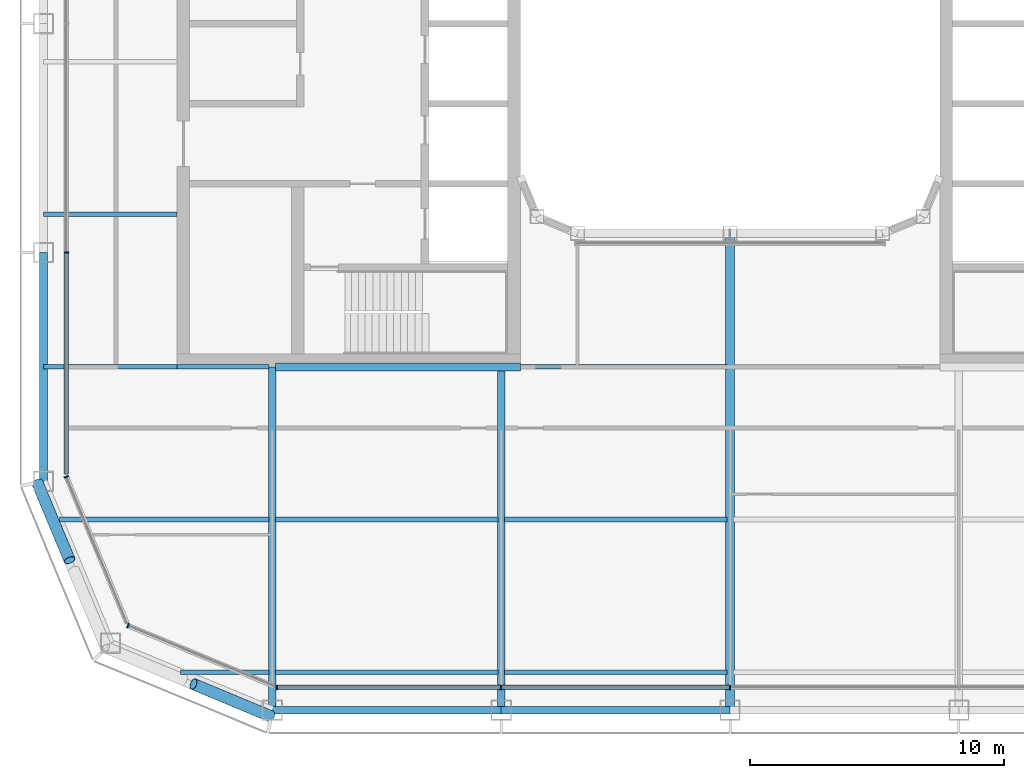
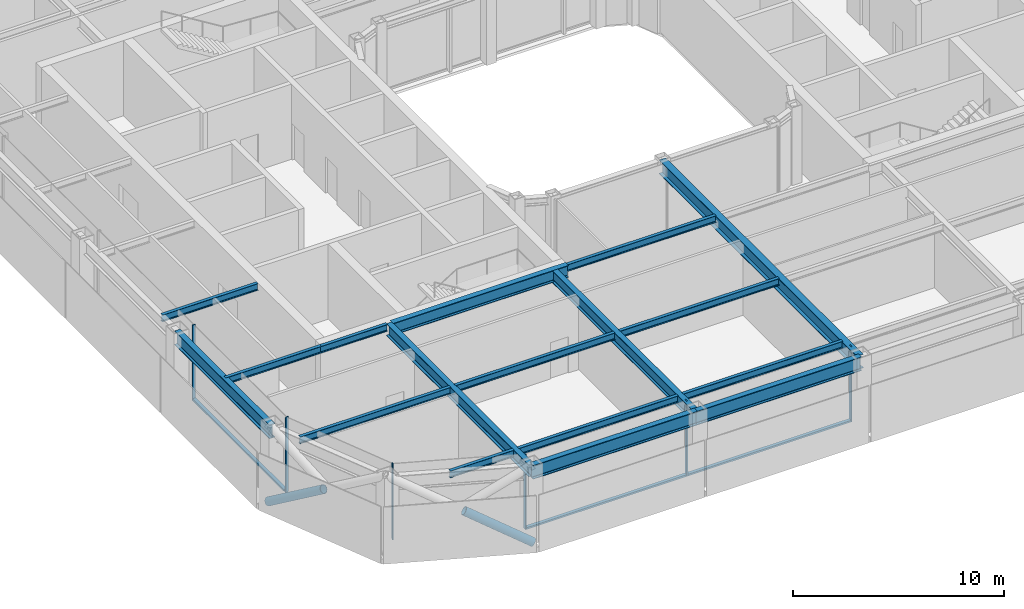
# One storey, part 2 of 19: 17 beams, 11 members, 4 elements without a shape of their own.
"""IFC4 building model written with IfcOpenShell, lengths in metres."""

from ifc_helpers import new_model, si_unit, direction, frame, origin, origin_2d, place, context, subcontext, project, spatial, rectangle, hollow_circle, i_section, extrude, material, layer, layer_set, material_profile, profile_set, type_object, element, aggregate, save


model = new_model("IFC4")

# Units and contexts
model_context = context("Model", 3, precision=1e-05, world=origin(), true_north=direction((0.0, 1.0)))
body_context = subcontext(model_context, "Body", "Model", "MODEL_VIEW")
ifc_project = project(units=[si_unit("LENGTHUNIT", "METRE"), si_unit("AREAUNIT", "SQUARE_METRE"), si_unit("VOLUMEUNIT", "CUBIC_METRE"), si_unit("PLANEANGLEUNIT", "RADIAN"), si_unit("MASSUNIT", "GRAM", prefix="KILO")], contexts=[model_context])

# Site, building, storey
site_placement = place(None, origin())
site = spatial("IfcSite", under=ifc_project, at=site_placement, CompositionType="ELEMENT")
building_placement = place(site_placement, origin())
building = spatial("IfcBuilding", under=site, at=building_placement, Name="Siwar Civic Tower", CompositionType="ELEMENT")
storey_placement = place(building_placement, frame((0.0, 0.0, 246.699951171875)))
storey = spatial("IfcBuildingStorey", under=building, at=storey_placement, Name="L53", CompositionType="ELEMENT", Elevation=246.699951171875)

# Curtain wall, members
ifc_material_1 = material(Name="Aluminium and glass", Category="aluminium")
ifc_layer_1 = layer(ifc_material_1, 0.179931640625)
ifc_layer_set_1 = layer_set([ifc_layer_1], Name="Aluminium and glass")
curtain_wall_type_1 = type_object("IfcCurtainWallType", Name="ENV-CW-C", PredefinedType="NOTDEFINED", material=ifc_layer_set_1)
curtain_wall_1_placement = place(storey_placement, origin())
curtain_wall_1 = element("IfcCurtainWall", 1, at=curtain_wall_1_placement, inside=storey, type_object=curtain_wall_type_1, Name="Curtain wall C S", PredefinedType="NOTDEFINED")
ifc_material_2 = material(Name="Aluminium 6063-T6", Category="aluminium")
ifc_material_profile_1 = material_profile(ifc_material_2, rectangle(XDim=0.179931640625, YDim=0.06005859375, at=origin_2d()), Name="AL 180x60")
ifc_profile_set_1 = profile_set([ifc_material_profile_1], Name="Aluminium 6063-T6")
member_type_1 = type_object("IfcMemberType", Name="ENV-MULLION-C", PredefinedType="MULLION", material=ifc_profile_set_1)
member_1_placement = place(storey_placement, frame((-17.821044921875, -26.10009765625, 0.0), z_axis=(0.0, 0.0, 1.0), x_axis=(0.0, 1.0, 0.0)))
member_1 = element("IfcMember", 2, at=member_1_placement, type_object=member_type_1, Name="Mullion C S 1", PredefinedType="MULLION", context=body_context, shape_type="SweptSolid", body=[
    extrude(rectangle(XDim=0.179931640625, YDim=0.06005859375, at=origin_2d()), origin(), (0.0, 0.0, 1.0), 4.35009765625),
])
member_2_placement = place(storey_placement, frame((-9.0, -26.10009765625, 0.0), z_axis=(0.0, 0.0, 1.0), x_axis=(0.0, 1.0, 0.0)))
member_2 = element("IfcMember", 3, at=member_2_placement, type_object=member_type_1, Name="Mullion C S 2", PredefinedType="MULLION", context=body_context, shape_type="SweptSolid", body=[
    extrude(rectangle(XDim=0.179931640625, YDim=0.06005859375, at=origin_2d()), origin(), (0.0, 0.0, 1.0), 4.35009765625),
])
member_3_placement = place(storey_placement, frame((0.0, -26.10009765625, 0.0), z_axis=(0.0, 0.0, 1.0), x_axis=(0.0, 1.0, 0.0)))
member_3 = element("IfcMember", 4, at=member_3_placement, type_object=member_type_1, Name="Mullion C S 3", PredefinedType="MULLION", context=body_context, shape_type="SweptSolid", body=[
    extrude(rectangle(XDim=0.179931640625, YDim=0.06005859375, at=origin_2d()), origin(), (0.0, 0.0, 1.0), 4.35009765625),
])

# Curtain wall, member
curtain_wall_2_placement = place(storey_placement, origin())
curtain_wall_2 = element("IfcCurtainWall", 5, at=curtain_wall_2_placement, inside=storey, type_object=curtain_wall_type_1, Name="Curtain wall C W", PredefinedType="NOTDEFINED")
member_4_placement = place(storey_placement, frame((-26.10009765625, -9.0, 0.0), z_axis=(0.0, 0.0, 1.0), x_axis=(1.0, 0.0, 0.0)))
member_4 = element("IfcMember", 6, at=member_4_placement, type_object=member_type_1, Name="Mullion C W 4", PredefinedType="MULLION", context=body_context, shape_type="SweptSolid", body=[
    extrude(rectangle(XDim=0.179931640625, YDim=0.06005859375, at=origin_2d()), origin(), (0.0, 0.0, 1.0), 4.35009765625),
])

ifc_material_3 = material(Name="Aluminium clad insulated panel", Category="aluminium")
ifc_layer_2 = layer(ifc_material_3, 0.179931640625)
ifc_layer_set_2 = layer_set([ifc_layer_2], Name="Aluminium clad insulated panel")
curtain_wall_type_2 = type_object("IfcCurtainWallType", Name="ENV-CW-CX", PredefinedType="NOTDEFINED", material=ifc_layer_set_2)
curtain_wall_3_placement = place(storey_placement, origin())
curtain_wall_3 = element("IfcCurtainWall", 7, at=curtain_wall_3_placement, inside=storey, type_object=curtain_wall_type_2, Name="Curtain wall C SW1", PredefinedType="NOTDEFINED")
member_5_placement = place(storey_placement, frame((-26.10009765625, -17.821044921875, 0.0), z_axis=(0.0, 0.0, 1.0), x_axis=(0.923879532511, 0.382683432365, 0.0)))
member_5 = element("IfcMember", 8, at=member_5_placement, type_object=member_type_1, Name="Mullion C SW1 1", PredefinedType="MULLION", context=body_context, shape_type="SweptSolid", body=[
    extrude(rectangle(XDim=0.179931640625, YDim=0.06005859375, at=origin_2d()), origin(), (0.0, 0.0, 1.0), 4.35009765625),
])
aggregate(curtain_wall_3, [member_5])

curtain_wall_4_placement = place(storey_placement, origin())
curtain_wall_4 = element("IfcCurtainWall", 9, at=curtain_wall_4_placement, inside=storey, type_object=curtain_wall_type_2, Name="Curtain wall C SW2", PredefinedType="NOTDEFINED")
member_6_placement = place(storey_placement, frame((-23.675048828125, -23.675048828125, 0.0), z_axis=(0.0, 0.0, 1.0), x_axis=(0.382683432365, 0.923879532511, 0.0)))
member_6 = element("IfcMember", 10, at=member_6_placement, type_object=member_type_1, Name="Mullion C SW2 1", PredefinedType="MULLION", context=body_context, shape_type="SweptSolid", body=[
    extrude(rectangle(XDim=0.179931640625, YDim=0.06005859375, at=origin_2d()), origin(), (0.0, 0.0, 1.0), 4.35009765625),
])
aggregate(curtain_wall_4, [member_6])

# Member
ifc_material_4 = material(Name="Aluminium 6063-T6", Category="aluminium")
ifc_material_profile_2 = material_profile(ifc_material_4, rectangle(XDim=0.179931640625, YDim=0.10009765625, at=origin_2d()), Name="AL 180x100")
ifc_profile_set_2 = profile_set([ifc_material_profile_2], Name="Aluminium 6063-T6")
member_type_2 = type_object("IfcMemberType", Name="ENV-TRANSOM-C", PredefinedType="USERDEFINED", material=ifc_profile_set_2)
member_7_placement = place(storey_placement, frame((-17.791015625, -26.10009765625, 0.050048828125), z_axis=(1.0, 0.0, 0.0), x_axis=(0.0, 1.0, 0.0)))
member_7 = element("IfcMember", 11, at=member_7_placement, type_object=member_type_2, Name="Transom C S 1", ObjectType="TRANSOM", PredefinedType="USERDEFINED", context=body_context, shape_type="SweptSolid", body=[
    extrude(rectangle(XDim=0.179931640625, YDim=0.10009765625, at=origin_2d()), origin(), (0.0, 0.0, 1.0), 8.760986328125),
])

member_8_placement = place(storey_placement, frame((-8.969970703125, -26.10009765625, 0.050048828125), z_axis=(1.0, 0.0, 0.0), x_axis=(0.0, 1.0, 0.0)))
member_8 = element("IfcMember", 12, at=member_8_placement, type_object=member_type_2, Name="Transom C S 2", ObjectType="TRANSOM", PredefinedType="USERDEFINED", context=body_context, shape_type="SweptSolid", body=[
    extrude(rectangle(XDim=0.179931640625, YDim=0.10009765625, at=origin_2d()), origin(), (0.0, 0.0, 1.0), 8.93994140625),
])

aggregate(curtain_wall_1, [member_1, member_2, member_3, member_7, member_8])

member_9_placement = place(storey_placement, frame((-26.10009765625, -9.030029296875, 0.050048828125), z_axis=(0.0, -1.0, 0.0), x_axis=(1.0, 0.0, 0.0)))
member_9 = element("IfcMember", 13, at=member_9_placement, type_object=member_type_2, Name="Transom C W 4", ObjectType="TRANSOM", PredefinedType="USERDEFINED", context=body_context, shape_type="SweptSolid", body=[
    extrude(rectangle(XDim=0.179931640625, YDim=0.10009765625, at=origin_2d()), origin(), (0.0, 0.0, 1.0), 8.68603515625),
])

aggregate(curtain_wall_2, [member_4, member_9])

# Members
ifc_material_5 = material(Name="Steel S355", Category="steel")
ifc_material_profile_3 = material_profile(ifc_material_5, hollow_circle(Radius=0.228515625, WallThickness=0.02001953125, at=origin_2d()), Name="CHS457x20")
ifc_profile_set_3 = profile_set([ifc_material_profile_3], Name="Steel S355")
member_type_3 = type_object("IfcMemberType", Name="STR-BR-CHS457x20", PredefinedType="BRACE", material=ifc_profile_set_3)
for number, where, z_axis, x_axis, name in (
    (14, (-18.048828125, -27.2451171875, 0.0), (-0.777546448489, 0.323884455881, 0.538999424564), (-0.38452107079, -0.92311621485, 0.0), "L53/brc/CSW1-13-0-2"),
    (15, (-27.2451171875, -18.048828125, 0.0), (0.323884455881, -0.777546448489, 0.538999424564), (0.92311621485, 0.38452107079, 0.0), "L53/brc/CSW1-13-0-4"),
):
    element("IfcMember", number, at=place(storey_placement, frame(where, z_axis=z_axis, x_axis=x_axis)), inside=storey, type_object=member_type_3, Name=name, PredefinedType="BRACE", context=body_context, shape_type="SweptSolid", body=[
        extrude(hollow_circle(Radius=0.228515625, WallThickness=0.02001953125, at=origin_2d()), origin(), (0.0, 0.0, 1.0), 3.927978515625),
    ])

# Beams
ifc_material_6 = material(Name="Steel S355", Category="steel")
ifc_material_profile_4 = material_profile(ifc_material_6, i_section(OverallWidth=0.179931640625, OverallDepth=0.39990234375, WebThickness=0.008544921875, FlangeThickness=0.013427734375, FilletRadius=0.02099609375, at=origin_2d()), Name="IPE400")
ifc_profile_set_4 = profile_set([ifc_material_profile_4], Name="Steel S355")
beam_type_1 = type_object("IfcBeamType", Name="STR-FB-IPE400", PredefinedType="JOIST", material=ifc_profile_set_4)
beam_1_placement = place(storey_placement, frame((-21.621337890625, -25.5, 4.150146484375), z_axis=(1.0, 0.0, 0.0), x_axis=(0.0, 1.0, 0.0)))
element("IfcBeam", 16, at=beam_1_placement, inside=storey, type_object=beam_type_1, Name="L53/bm/F001", PredefinedType="JOIST", context=body_context, shape_type="SweptSolid", body=[
    extrude(i_section(OverallWidth=0.179931640625, OverallDepth=0.39990234375, WebThickness=0.008544921875, FlangeThickness=0.013427734375, FilletRadius=0.02099609375, at=origin_2d()), origin(), (0.0, 0.0, 1.0), 3.491455078125),
])
for number, where, z_axis, x_axis, name in (
    (17, (-17.8701171875, -25.5, 4.150146484375), (1.0, 0.0, 0.0), (0.0, 1.0, 0.0), "L53/bm/F002"),
    (18, (-8.8701171875, -25.5, 4.150146484375), (1.0, 0.0, 0.0), (0.0, 1.0, 0.0), "L53/bm/F003"),
):
    element("IfcBeam", number, at=place(storey_placement, frame(where, z_axis=z_axis, x_axis=x_axis)), inside=storey, type_object=beam_type_1, Name=name, PredefinedType="JOIST", context=body_context, shape_type="SweptSolid", body=[
        extrude(i_section(OverallWidth=0.179931640625, OverallDepth=0.39990234375, WebThickness=0.008544921875, FlangeThickness=0.013427734375, FilletRadius=0.02099609375, at=origin_2d()), origin(), (0.0, 0.0, 1.0), 8.740234375),
    ])
beam_2_placement = place(storey_placement, frame((-26.378662109375, -19.5, 4.150146484375), z_axis=(1.0, 0.0, 0.0), x_axis=(0.0, 1.0, 0.0)))
element("IfcBeam", 19, at=beam_2_placement, inside=storey, type_object=beam_type_1, Name="L53/bm/F007", PredefinedType="JOIST", context=body_context, shape_type="SweptSolid", body=[
    extrude(i_section(OverallWidth=0.179931640625, OverallDepth=0.39990234375, WebThickness=0.008544921875, FlangeThickness=0.013427734375, FilletRadius=0.02099609375, at=origin_2d()), origin(), (0.0, 0.0, 1.0), 8.248779296875),
])
for number, where, z_axis, x_axis, name in (
    (20, (-17.8701171875, -19.5, 4.150146484375), (1.0, 0.0, 0.0), (0.0, 1.0, 0.0), "L53/bm/F008"),
    (21, (-8.8701171875, -19.5, 4.150146484375), (1.0, 0.0, 0.0), (0.0, 1.0, 0.0), "L53/bm/F009"),
):
    element("IfcBeam", number, at=place(storey_placement, frame(where, z_axis=z_axis, x_axis=x_axis)), inside=storey, type_object=beam_type_1, Name=name, PredefinedType="JOIST", context=body_context, shape_type="SweptSolid", body=[
        extrude(i_section(OverallWidth=0.179931640625, OverallDepth=0.39990234375, WebThickness=0.008544921875, FlangeThickness=0.013427734375, FilletRadius=0.02099609375, at=origin_2d()), origin(), (0.0, 0.0, 1.0), 8.740234375),
    ])
beam_3_placement = place(storey_placement, frame((-27.0, -13.5, 4.150146484375), z_axis=(1.0, 0.0, 0.0), x_axis=(0.0, 1.0, 0.0)))
element("IfcBeam", 22, at=beam_3_placement, inside=storey, type_object=beam_type_1, Name="L53/bm/F013", PredefinedType="JOIST", context=body_context, shape_type="SweptSolid", body=[
    extrude(i_section(OverallWidth=0.179931640625, OverallDepth=0.39990234375, WebThickness=0.008544921875, FlangeThickness=0.013427734375, FilletRadius=0.02099609375, at=origin_2d()), origin(), (0.0, 0.0, 1.0), 5.25),
])
beam_4_placement = place(storey_placement, frame((-21.75, -13.5, 4.150146484375), z_axis=(1.0, 0.0, 0.0), x_axis=(0.0, 1.0, 0.0)))
element("IfcBeam", 23, at=beam_4_placement, inside=storey, type_object=beam_type_1, Name="L53/bm/F014", PredefinedType="JOIST", context=body_context, shape_type="SweptSolid", body=[
    extrude(i_section(OverallWidth=0.179931640625, OverallDepth=0.39990234375, WebThickness=0.008544921875, FlangeThickness=0.013427734375, FilletRadius=0.02099609375, at=origin_2d()), origin(), (0.0, 0.0, 1.0), 3.6201171875),
])
beam_5_placement = place(storey_placement, frame((-8.25, -13.5, 4.150146484375), z_axis=(1.0, 0.0, 0.0), x_axis=(0.0, 1.0, 0.0)))
element("IfcBeam", 24, at=beam_5_placement, inside=storey, type_object=beam_type_1, Name="L53/bm/F016", PredefinedType="JOIST", context=body_context, shape_type="SweptSolid", body=[
    extrude(i_section(OverallWidth=0.179931640625, OverallDepth=0.39990234375, WebThickness=0.008544921875, FlangeThickness=0.013427734375, FilletRadius=0.02099609375, at=origin_2d()), origin(), (0.0, 0.0, 1.0), 8.1201171875),
])
beam_6_placement = place(storey_placement, frame((-27.0, -7.5, 4.150146484375), z_axis=(1.0, 0.0, 0.0), x_axis=(0.0, 1.0, 0.0)))
element("IfcBeam", 25, at=beam_6_placement, inside=storey, type_object=beam_type_1, Name="L53/bm/F021", PredefinedType="JOIST", context=body_context, shape_type="SweptSolid", body=[
    extrude(i_section(OverallWidth=0.179931640625, OverallDepth=0.39990234375, WebThickness=0.008544921875, FlangeThickness=0.013427734375, FilletRadius=0.02099609375, at=origin_2d()), origin(), (0.0, 0.0, 1.0), 5.25),
])
ifc_material_7 = material(Name="Steel S355", Category="steel")
ifc_material_profile_5 = material_profile(ifc_material_7, i_section(OverallWidth=0.300048828125, OverallDepth=0.699951171875, WebThickness=0.01708984375, FlangeThickness=0.031982421875, FilletRadius=0.027099609375, at=origin_2d()), Name="HEB700")
ifc_profile_set_5 = profile_set([ifc_material_profile_5], Name="Steel S355")
beam_type_2 = type_object("IfcBeamType", Name="STR-PG-HEB700", PredefinedType="BEAM", material=ifc_profile_set_5)
for number, where, z_axis, x_axis, name in (
    (26, (-18.0, -27.0, 4.0), (0.0, 1.0, 0.0), (-1.0, 0.0, 0.0), "L53/bm/G01"),
    (27, (-9.0, -27.0, 4.0), (0.0, 1.0, 0.0), (-1.0, 0.0, 0.0), "L53/bm/G03"),
):
    element("IfcBeam", number, at=place(storey_placement, frame(where, z_axis=z_axis, x_axis=x_axis)), inside=storey, type_object=beam_type_2, Name=name, PredefinedType="BEAM", context=body_context, shape_type="SweptSolid", body=[
        extrude(i_section(OverallWidth=0.300048828125, OverallDepth=0.699951171875, WebThickness=0.01708984375, FlangeThickness=0.031982421875, FilletRadius=0.027099609375, at=origin_2d()), origin(), (0.0, 0.0, 1.0), 13.5),
    ])
beam_7_placement = place(storey_placement, frame((-17.8701171875, -13.5, 4.0), z_axis=(1.0, 0.0, 0.0), x_axis=(0.0, 1.0, 0.0)))
element("IfcBeam", 28, at=beam_7_placement, inside=storey, type_object=beam_type_2, Name="L53/bm/F015", PredefinedType="BEAM", context=body_context, shape_type="SweptSolid", body=[
    extrude(i_section(OverallWidth=0.300048828125, OverallDepth=0.699951171875, WebThickness=0.01708984375, FlangeThickness=0.031982421875, FilletRadius=0.027099609375, at=origin_2d()), origin(), (0.0, 0.0, 1.0), 9.6201171875),
])
ifc_material_8 = material(Name="Steel S355", Category="steel")
ifc_material_profile_6 = material_profile(ifc_material_8, i_section(OverallWidth=0.360107421875, OverallDepth=0.800048828125, WebThickness=0.013916015625, FlangeThickness=0.031982421875, at=origin_2d()), Name="PG800x360x14x32")
ifc_profile_set_6 = profile_set([ifc_material_profile_6], Name="Steel S355")
beam_type_3 = type_object("IfcBeamType", Name="STR-PG-PG800x360x14x32", PredefinedType="BEAM", material=ifc_profile_set_6)
beam_8_placement = place(storey_placement, frame((0.0, -27.0, 3.949951171875), z_axis=(0.0, 1.0, 0.0), x_axis=(-1.0, 0.0, 0.0)))
element("IfcBeam", 29, at=beam_8_placement, inside=storey, type_object=beam_type_3, Name="L53/bm/G05", PredefinedType="BEAM", context=body_context, shape_type="SweptSolid", body=[
    extrude(i_section(OverallWidth=0.360107421875, OverallDepth=0.800048828125, WebThickness=0.013916015625, FlangeThickness=0.031982421875, at=origin_2d()), origin(), (0.0, 0.0, 1.0), 18.75),
])
ifc_material_9 = material(Name="Steel S355", Category="steel")
ifc_material_profile_7 = material_profile(ifc_material_9, i_section(OverallWidth=0.300048828125, OverallDepth=0.800048828125, WebThickness=0.017578125, FlangeThickness=0.032958984375, FilletRadius=0.030029296875, at=origin_2d()), Name="HEB800")
ifc_profile_set_7 = profile_set([ifc_material_profile_7], Name="Steel S355")
beam_type_4 = type_object("IfcBeamType", Name="STR-SB-HEB800", PredefinedType="BEAM", material=ifc_profile_set_7)
for number, where, z_axis, x_axis, name in (
    (30, (-18.0, -27.0, 3.949951171875), (1.0, 0.0, 0.0), (0.0, 1.0, 0.0), "L53/bm/SS-0"),
    (31, (-9.0, -27.0, 3.949951171875), (1.0, 0.0, 0.0), (0.0, 1.0, 0.0), "L53/bm/SS-1"),
    (32, (-27.0, -9.0, 3.949951171875), (0.0, -1.0, 0.0), (1.0, 0.0, 0.0), "L53/bm/SW-3"),
):
    element("IfcBeam", number, at=place(storey_placement, frame(where, z_axis=z_axis, x_axis=x_axis)), inside=storey, type_object=beam_type_4, Name=name, PredefinedType="BEAM", context=body_context, shape_type="SweptSolid", body=[
        extrude(i_section(OverallWidth=0.300048828125, OverallDepth=0.800048828125, WebThickness=0.017578125, FlangeThickness=0.032958984375, FilletRadius=0.030029296875, at=origin_2d()), origin(), (0.0, 0.0, 1.0), 9.0),
    ])

save(model, "model.ifc")
